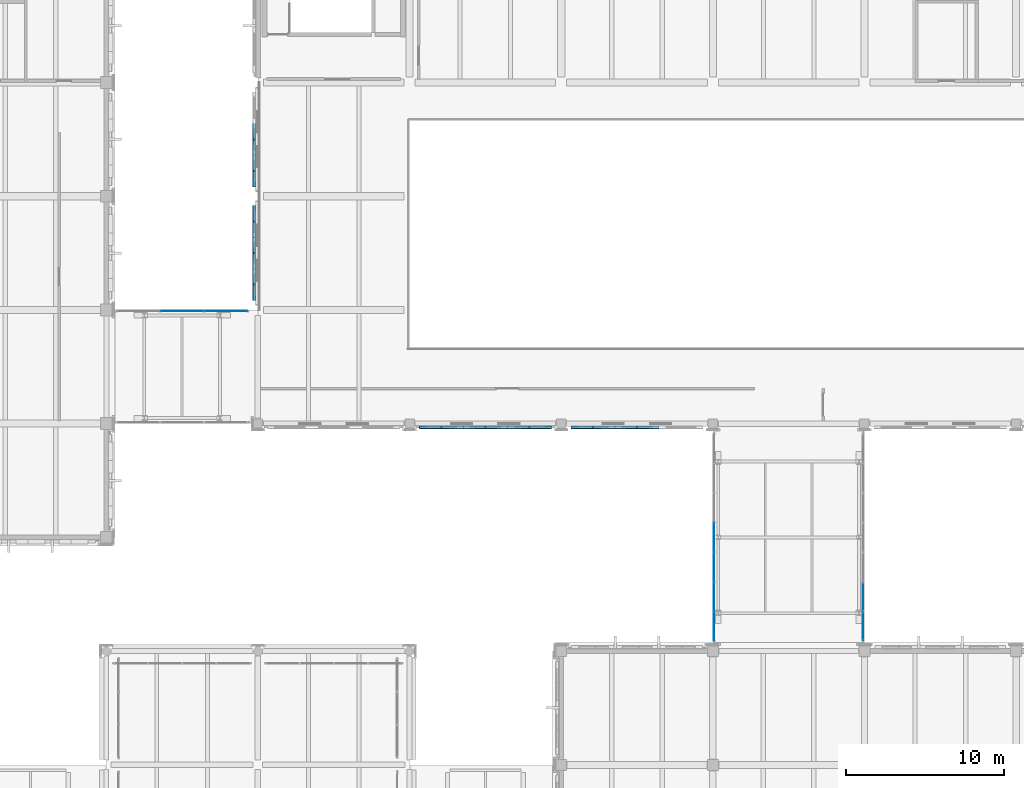
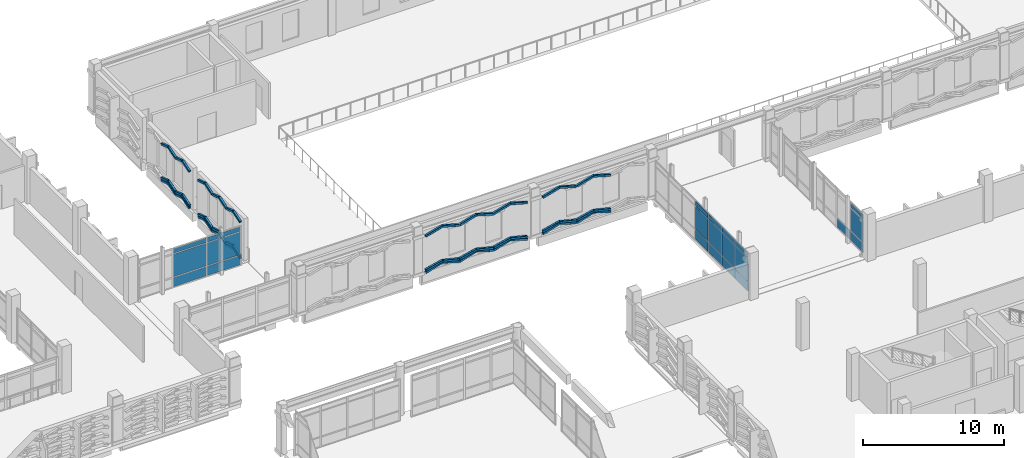
# One storey, part 140 of 180: 82 plates, 3 elements without a shape of their own.
"""IFC4 building model written with IfcOpenShell, lengths in metres."""

from ifc_helpers import new_model, si_unit, direction, frame, origin, origin_2d, place, context, subcontext, project, spatial, rectangle, hollow_rectangle, extrude, material, layer, layer_set, material_profile, profile_set, type_object, element, aggregate, save


model = new_model("IFC4")

# Units and contexts
model_context = context("Model", 3, precision=1e-05, world=origin(), true_north=direction((0.0, 1.0)))
body_context = subcontext(model_context, "Body", "Model", "MODEL_VIEW")
ifc_project = project(units=[si_unit("LENGTHUNIT", "METRE"), si_unit("AREAUNIT", "SQUARE_METRE"), si_unit("VOLUMEUNIT", "CUBIC_METRE"), si_unit("PLANEANGLEUNIT", "RADIAN"), si_unit("MASSUNIT", "GRAM", prefix="KILO")], contexts=[model_context])

# Site, building, storey
site_placement = place(None, origin())
site = spatial("IfcSite", under=ifc_project, at=site_placement, CompositionType="ELEMENT")
building_placement = place(site_placement, origin())
building = spatial("IfcBuilding", under=site, at=building_placement, Name="Asteropetra Specialist Clinic", CompositionType="ELEMENT")
storey_placement = place(building_placement, frame((0.0, 0.0, 4.419921875)))
storey = spatial("IfcBuildingStorey", under=building, at=storey_placement, Name="L01", CompositionType="ELEMENT", Elevation=4.419921875)

# Plates
ifc_material_1 = material(Name="Chevron emerald aluminium 6063-T6", Category="aluminium")
ifc_material_profile = material_profile(ifc_material_1, hollow_rectangle(XDim=0.179931640625, YDim=0.179931640625, WallThickness=0.010009765625, InnerFilletRadius=0.008056640625, OuterFilletRadius=0.01611328125, at=origin_2d()), Name="SHS 180x180x10.0")
ifc_profile_set = profile_set([ifc_material_profile], Name="Chevron emerald aluminium 6063-T6")
plate_type_1 = type_object("IfcPlateType", Name="CHV-RIB-180", PredefinedType="SHEET", material=ifc_profile_set)
plate_1_placement = place(storey_placement, frame((96.639892578125, 76.55810546875, 0.0400390625), z_axis=(0.952424147199, 0.0, 0.304775727104), x_axis=(0.0, 1.0, 0.0)))
element("IfcPlate", 1, at=plate_1_placement, inside=storey, type_object=plate_type_1, Name="Chevron Facade Screen Fin CVR-0043", PredefinedType="SHEET", context=body_context, shape_type="SweptSolid", body=[
    extrude(hollow_rectangle(XDim=0.179931640625, YDim=0.179931640625, WallThickness=0.010009765625, InnerFilletRadius=0.008056640625, OuterFilletRadius=0.01611328125, at=origin_2d()), origin(), (0.0, 0.0, 1.0), 1.44189453125),
])
plate_2_placement = place(storey_placement, frame((98.01318359375, 76.55810546875, 0.4794921875), z_axis=(0.952439871219, 0.0, -0.304726585175), x_axis=(0.0, 1.0, 0.0)))
element("IfcPlate", 2, at=plate_2_placement, inside=storey, type_object=plate_type_1, Name="Chevron Facade Screen Fin CVR-0044", PredefinedType="SHEET", context=body_context, shape_type="SweptSolid", body=[
    extrude(hollow_rectangle(XDim=0.179931640625, YDim=0.179931640625, WallThickness=0.010009765625, InnerFilletRadius=0.008056640625, OuterFilletRadius=0.01611328125, at=origin_2d()), origin(), (0.0, 0.0, 1.0), 1.442138671875),
])
plate_3_placement = place(storey_placement, frame((96.639892578125, 76.55810546875, 0.239990234375), z_axis=(0.972308795496, 0.0, 0.233699820713), x_axis=(0.0, 1.0, 0.0)))
element("IfcPlate", 3, at=plate_3_placement, inside=storey, type_object=plate_type_1, Name="Chevron Facade Screen Fin CVR-0045", PredefinedType="SHEET", context=body_context, shape_type="SweptSolid", body=[
    extrude(hollow_rectangle(XDim=0.179931640625, YDim=0.179931640625, WallThickness=0.010009765625, InnerFilletRadius=0.008056640625, OuterFilletRadius=0.01611328125, at=origin_2d()), origin(), (0.0, 0.0, 1.0), 1.412353515625),
])
plate_4_placement = place(storey_placement, frame((98.01318359375, 76.55810546875, 0.570068359375), z_axis=(0.972318233691, 0.0, -0.233660549582), x_axis=(0.0, 1.0, 0.0)))
element("IfcPlate", 4, at=plate_4_placement, inside=storey, type_object=plate_type_1, Name="Chevron Facade Screen Fin CVR-0046", PredefinedType="SHEET", context=body_context, shape_type="SweptSolid", body=[
    extrude(hollow_rectangle(XDim=0.179931640625, YDim=0.179931640625, WallThickness=0.010009765625, InnerFilletRadius=0.008056640625, OuterFilletRadius=0.01611328125, at=origin_2d()), origin(), (0.0, 0.0, 1.0), 1.41259765625),
])
plate_5_placement = place(storey_placement, frame((96.639892578125, 76.55810546875, 3.190185546875), z_axis=(0.96198081159, 0.0, 0.273117041086), x_axis=(0.0, 1.0, 0.0)))
element("IfcPlate", 5, at=plate_5_placement, inside=storey, type_object=plate_type_1, Name="Chevron Facade Screen Fin CVR-0047", PredefinedType="SHEET", context=body_context, shape_type="SweptSolid", body=[
    extrude(hollow_rectangle(XDim=0.179931640625, YDim=0.179931640625, WallThickness=0.010009765625, InnerFilletRadius=0.008056640625, OuterFilletRadius=0.01611328125, at=origin_2d()), origin(), (0.0, 0.0, 1.0), 1.427490234375),
])
plate_6_placement = place(storey_placement, frame((98.01318359375, 76.55810546875, 3.580078125), z_axis=(0.961993565235, 0.0, -0.273072115834), x_axis=(0.0, 1.0, 0.0)))
element("IfcPlate", 6, at=plate_6_placement, inside=storey, type_object=plate_type_1, Name="Chevron Facade Screen Fin CVR-0048", PredefinedType="SHEET", context=body_context, shape_type="SweptSolid", body=[
    extrude(hollow_rectangle(XDim=0.179931640625, YDim=0.179931640625, WallThickness=0.010009765625, InnerFilletRadius=0.008056640625, OuterFilletRadius=0.01611328125, at=origin_2d()), origin(), (0.0, 0.0, 1.0), 1.427734375),
])
for number, where, z_axis, x_axis, name in (
    (7, (99.4267578125, 76.55810546875, 0.0400390625), (0.952424147199, 0.0, 0.304775727104), (0.0, 1.0, 0.0), "Chevron Facade Screen Fin CVR-0049"),
    (8, (100.800048828125, 76.55810546875, 0.4794921875), (0.952424147199, 0.0, -0.304775727104), (0.0, 1.0, 0.0), "Chevron Facade Screen Fin CVR-0050"),
):
    element("IfcPlate", number, at=place(storey_placement, frame(where, z_axis=z_axis, x_axis=x_axis)), inside=storey, type_object=plate_type_1, Name=name, PredefinedType="SHEET", context=body_context, shape_type="SweptSolid", body=[
        extrude(hollow_rectangle(XDim=0.179931640625, YDim=0.179931640625, WallThickness=0.010009765625, InnerFilletRadius=0.008056640625, OuterFilletRadius=0.01611328125, at=origin_2d()), origin(), (0.0, 0.0, 1.0), 1.44189453125),
    ])
for number, where, z_axis, x_axis, name in (
    (9, (99.4267578125, 76.55810546875, 0.239990234375), (0.972308795496, 0.0, 0.233699820713), (0.0, 1.0, 0.0), "Chevron Facade Screen Fin CVR-0051"),
    (10, (100.800048828125, 76.55810546875, 0.570068359375), (0.972308795496, 0.0, -0.233699820713), (0.0, 1.0, 0.0), "Chevron Facade Screen Fin CVR-0052"),
):
    element("IfcPlate", number, at=place(storey_placement, frame(where, z_axis=z_axis, x_axis=x_axis)), inside=storey, type_object=plate_type_1, Name=name, PredefinedType="SHEET", context=body_context, shape_type="SweptSolid", body=[
        extrude(hollow_rectangle(XDim=0.179931640625, YDim=0.179931640625, WallThickness=0.010009765625, InnerFilletRadius=0.008056640625, OuterFilletRadius=0.01611328125, at=origin_2d()), origin(), (0.0, 0.0, 1.0), 1.412353515625),
    ])
for number, where, z_axis, x_axis, name in (
    (11, (99.4267578125, 76.55810546875, 3.190185546875), (0.96198081159, 0.0, 0.273117041086), (0.0, 1.0, 0.0), "Chevron Facade Screen Fin CVR-0053"),
    (12, (100.800048828125, 76.55810546875, 3.580078125), (0.96198081159, 0.0, -0.273117041086), (0.0, 1.0, 0.0), "Chevron Facade Screen Fin CVR-0054"),
):
    element("IfcPlate", number, at=place(storey_placement, frame(where, z_axis=z_axis, x_axis=x_axis)), inside=storey, type_object=plate_type_1, Name=name, PredefinedType="SHEET", context=body_context, shape_type="SweptSolid", body=[
        extrude(hollow_rectangle(XDim=0.179931640625, YDim=0.179931640625, WallThickness=0.010009765625, InnerFilletRadius=0.008056640625, OuterFilletRadius=0.01611328125, at=origin_2d()), origin(), (0.0, 0.0, 1.0), 1.427490234375),
    ])
for number, where, z_axis, x_axis, name in (
    (13, (102.21337890625, 76.55810546875, 0.0400390625), (0.952424147199, 0.0, 0.304775727104), (0.0, 1.0, 0.0), "Chevron Facade Screen Fin CVR-0055"),
    (14, (103.586669921875, 76.55810546875, 0.4794921875), (0.952424147199, 0.0, -0.304775727104), (0.0, 1.0, 0.0), "Chevron Facade Screen Fin CVR-0056"),
):
    element("IfcPlate", number, at=place(storey_placement, frame(where, z_axis=z_axis, x_axis=x_axis)), inside=storey, type_object=plate_type_1, Name=name, PredefinedType="SHEET", context=body_context, shape_type="SweptSolid", body=[
        extrude(hollow_rectangle(XDim=0.179931640625, YDim=0.179931640625, WallThickness=0.010009765625, InnerFilletRadius=0.008056640625, OuterFilletRadius=0.01611328125, at=origin_2d()), origin(), (0.0, 0.0, 1.0), 1.44189453125),
    ])
for number, where, z_axis, x_axis, name in (
    (15, (102.21337890625, 76.55810546875, 0.239990234375), (0.972308795496, 0.0, 0.233699820713), (0.0, 1.0, 0.0), "Chevron Facade Screen Fin CVR-0057"),
    (16, (103.586669921875, 76.55810546875, 0.570068359375), (0.972308795496, 0.0, -0.233699820713), (0.0, 1.0, 0.0), "Chevron Facade Screen Fin CVR-0058"),
):
    element("IfcPlate", number, at=place(storey_placement, frame(where, z_axis=z_axis, x_axis=x_axis)), inside=storey, type_object=plate_type_1, Name=name, PredefinedType="SHEET", context=body_context, shape_type="SweptSolid", body=[
        extrude(hollow_rectangle(XDim=0.179931640625, YDim=0.179931640625, WallThickness=0.010009765625, InnerFilletRadius=0.008056640625, OuterFilletRadius=0.01611328125, at=origin_2d()), origin(), (0.0, 0.0, 1.0), 1.412353515625),
    ])
for number, where, z_axis, x_axis, name in (
    (17, (102.21337890625, 76.55810546875, 3.190185546875), (0.96198081159, 0.0, 0.273117041086), (0.0, 1.0, 0.0), "Chevron Facade Screen Fin CVR-0059"),
    (18, (103.586669921875, 76.55810546875, 3.580078125), (0.96198081159, 0.0, -0.273117041086), (0.0, 1.0, 0.0), "Chevron Facade Screen Fin CVR-0060"),
):
    element("IfcPlate", number, at=place(storey_placement, frame(where, z_axis=z_axis, x_axis=x_axis)), inside=storey, type_object=plate_type_1, Name=name, PredefinedType="SHEET", context=body_context, shape_type="SweptSolid", body=[
        extrude(hollow_rectangle(XDim=0.179931640625, YDim=0.179931640625, WallThickness=0.010009765625, InnerFilletRadius=0.008056640625, OuterFilletRadius=0.01611328125, at=origin_2d()), origin(), (0.0, 0.0, 1.0), 1.427490234375),
    ])
plate_7_placement = place(storey_placement, frame((106.239990234375, 76.55810546875, 0.0400390625), z_axis=(0.952424147199, 0.0, 0.304775727104), x_axis=(0.0, 1.0, 0.0)))
element("IfcPlate", 19, at=plate_7_placement, inside=storey, type_object=plate_type_1, Name="Chevron Facade Screen Fin CVR-0079", PredefinedType="SHEET", context=body_context, shape_type="SweptSolid", body=[
    extrude(hollow_rectangle(XDim=0.179931640625, YDim=0.179931640625, WallThickness=0.010009765625, InnerFilletRadius=0.008056640625, OuterFilletRadius=0.01611328125, at=origin_2d()), origin(), (0.0, 0.0, 1.0), 1.44189453125),
])
plate_8_placement = place(storey_placement, frame((107.61328125, 76.55810546875, 0.4794921875), z_axis=(0.952439871219, 0.0, -0.304726585175), x_axis=(0.0, 1.0, 0.0)))
element("IfcPlate", 20, at=plate_8_placement, inside=storey, type_object=plate_type_1, Name="Chevron Facade Screen Fin CVR-0080", PredefinedType="SHEET", context=body_context, shape_type="SweptSolid", body=[
    extrude(hollow_rectangle(XDim=0.179931640625, YDim=0.179931640625, WallThickness=0.010009765625, InnerFilletRadius=0.008056640625, OuterFilletRadius=0.01611328125, at=origin_2d()), origin(), (0.0, 0.0, 1.0), 1.442138671875),
])
plate_9_placement = place(storey_placement, frame((106.239990234375, 76.55810546875, 0.239990234375), z_axis=(0.972308795496, 0.0, 0.233699820713), x_axis=(0.0, 1.0, 0.0)))
element("IfcPlate", 21, at=plate_9_placement, inside=storey, type_object=plate_type_1, Name="Chevron Facade Screen Fin CVR-0081", PredefinedType="SHEET", context=body_context, shape_type="SweptSolid", body=[
    extrude(hollow_rectangle(XDim=0.179931640625, YDim=0.179931640625, WallThickness=0.010009765625, InnerFilletRadius=0.008056640625, OuterFilletRadius=0.01611328125, at=origin_2d()), origin(), (0.0, 0.0, 1.0), 1.412353515625),
])
plate_10_placement = place(storey_placement, frame((107.61328125, 76.55810546875, 0.570068359375), z_axis=(0.972318233691, 0.0, -0.233660549582), x_axis=(0.0, 1.0, 0.0)))
element("IfcPlate", 22, at=plate_10_placement, inside=storey, type_object=plate_type_1, Name="Chevron Facade Screen Fin CVR-0082", PredefinedType="SHEET", context=body_context, shape_type="SweptSolid", body=[
    extrude(hollow_rectangle(XDim=0.179931640625, YDim=0.179931640625, WallThickness=0.010009765625, InnerFilletRadius=0.008056640625, OuterFilletRadius=0.01611328125, at=origin_2d()), origin(), (0.0, 0.0, 1.0), 1.41259765625),
])
plate_11_placement = place(storey_placement, frame((106.239990234375, 76.55810546875, 3.190185546875), z_axis=(0.96198081159, 0.0, 0.273117041086), x_axis=(0.0, 1.0, 0.0)))
element("IfcPlate", 23, at=plate_11_placement, inside=storey, type_object=plate_type_1, Name="Chevron Facade Screen Fin CVR-0083", PredefinedType="SHEET", context=body_context, shape_type="SweptSolid", body=[
    extrude(hollow_rectangle(XDim=0.179931640625, YDim=0.179931640625, WallThickness=0.010009765625, InnerFilletRadius=0.008056640625, OuterFilletRadius=0.01611328125, at=origin_2d()), origin(), (0.0, 0.0, 1.0), 1.427490234375),
])
plate_12_placement = place(storey_placement, frame((107.61328125, 76.55810546875, 3.580078125), z_axis=(0.961993565235, 0.0, -0.273072115834), x_axis=(0.0, 1.0, 0.0)))
element("IfcPlate", 24, at=plate_12_placement, inside=storey, type_object=plate_type_1, Name="Chevron Facade Screen Fin CVR-0084", PredefinedType="SHEET", context=body_context, shape_type="SweptSolid", body=[
    extrude(hollow_rectangle(XDim=0.179931640625, YDim=0.179931640625, WallThickness=0.010009765625, InnerFilletRadius=0.008056640625, OuterFilletRadius=0.01611328125, at=origin_2d()), origin(), (0.0, 0.0, 1.0), 1.427734375),
])
for number, where, z_axis, x_axis, name in (
    (25, (109.026611328125, 76.55810546875, 0.0400390625), (0.952424147199, 0.0, 0.304775727104), (0.0, 1.0, 0.0), "Chevron Facade Screen Fin CVR-0085"),
    (26, (110.39990234375, 76.55810546875, 0.4794921875), (0.952424147199, 0.0, -0.304775727104), (0.0, 1.0, 0.0), "Chevron Facade Screen Fin CVR-0086"),
):
    element("IfcPlate", number, at=place(storey_placement, frame(where, z_axis=z_axis, x_axis=x_axis)), inside=storey, type_object=plate_type_1, Name=name, PredefinedType="SHEET", context=body_context, shape_type="SweptSolid", body=[
        extrude(hollow_rectangle(XDim=0.179931640625, YDim=0.179931640625, WallThickness=0.010009765625, InnerFilletRadius=0.008056640625, OuterFilletRadius=0.01611328125, at=origin_2d()), origin(), (0.0, 0.0, 1.0), 1.44189453125),
    ])
for number, where, z_axis, x_axis, name in (
    (27, (109.026611328125, 76.55810546875, 0.239990234375), (0.972308795496, 0.0, 0.233699820713), (0.0, 1.0, 0.0), "Chevron Facade Screen Fin CVR-0087"),
    (28, (110.39990234375, 76.55810546875, 0.570068359375), (0.972308795496, 0.0, -0.233699820713), (0.0, 1.0, 0.0), "Chevron Facade Screen Fin CVR-0088"),
):
    element("IfcPlate", number, at=place(storey_placement, frame(where, z_axis=z_axis, x_axis=x_axis)), inside=storey, type_object=plate_type_1, Name=name, PredefinedType="SHEET", context=body_context, shape_type="SweptSolid", body=[
        extrude(hollow_rectangle(XDim=0.179931640625, YDim=0.179931640625, WallThickness=0.010009765625, InnerFilletRadius=0.008056640625, OuterFilletRadius=0.01611328125, at=origin_2d()), origin(), (0.0, 0.0, 1.0), 1.412353515625),
    ])
for number, where, z_axis, x_axis, name in (
    (29, (109.026611328125, 76.55810546875, 3.190185546875), (0.96198081159, 0.0, 0.273117041086), (0.0, 1.0, 0.0), "Chevron Facade Screen Fin CVR-0089"),
    (30, (110.39990234375, 76.55810546875, 3.580078125), (0.96198081159, 0.0, -0.273117041086), (0.0, 1.0, 0.0), "Chevron Facade Screen Fin CVR-0090"),
):
    element("IfcPlate", number, at=place(storey_placement, frame(where, z_axis=z_axis, x_axis=x_axis)), inside=storey, type_object=plate_type_1, Name=name, PredefinedType="SHEET", context=body_context, shape_type="SweptSolid", body=[
        extrude(hollow_rectangle(XDim=0.179931640625, YDim=0.179931640625, WallThickness=0.010009765625, InnerFilletRadius=0.008056640625, OuterFilletRadius=0.01611328125, at=origin_2d()), origin(), (0.0, 0.0, 1.0), 1.427490234375),
    ])
for number, where, z_axis, x_axis, name in (
    (31, (86.157958984375, 90.580078125, 0.0400390625), (0.0, -0.951905113025, 0.306392976091), (1.0, 0.0, 0.0), "Chevron Facade Screen Fin CVR-0259"),
    (32, (86.157958984375, 89.60009765625, 0.35546875), (0.0, -0.951905113025, -0.306392976091), (1.0, 0.0, 0.0), "Chevron Facade Screen Fin CVR-0260"),
    (33, (86.157958984375, 90.580078125, 0.239990234375), (0.0, -0.951905113025, 0.306392976091), (1.0, 0.0, 0.0), "Chevron Facade Screen Fin CVR-0261"),
    (34, (86.157958984375, 89.60009765625, 0.555419921875), (0.0, -0.951905113025, -0.306392976091), (1.0, 0.0, 0.0), "Chevron Facade Screen Fin CVR-0262"),
    (35, (86.157958984375, 90.580078125, 3.190185546875), (0.0, -0.951974259169, 0.306178068906), (1.0, 0.0, 0.0), "Chevron Facade Screen Fin CVR-0263"),
    (36, (86.157958984375, 89.60009765625, 3.50537109375), (0.0, -0.951974259169, -0.306178068906), (1.0, 0.0, 0.0), "Chevron Facade Screen Fin CVR-0264"),
    (37, (86.157958984375, 88.580078125, 0.0400390625), (0.0, -0.951905113025, 0.306392976091), (1.0, 0.0, 0.0), "Chevron Facade Screen Fin CVR-0265"),
    (38, (86.157958984375, 87.60009765625, 0.35546875), (0.0, -0.951905113025, -0.306392976091), (1.0, 0.0, 0.0), "Chevron Facade Screen Fin CVR-0266"),
    (39, (86.157958984375, 88.580078125, 0.239990234375), (0.0, -0.951905113025, 0.306392976091), (1.0, 0.0, 0.0), "Chevron Facade Screen Fin CVR-0267"),
    (40, (86.157958984375, 87.60009765625, 0.555419921875), (0.0, -0.951905113025, -0.306392976091), (1.0, 0.0, 0.0), "Chevron Facade Screen Fin CVR-0268"),
    (41, (86.157958984375, 88.580078125, 3.190185546875), (0.0, -0.951974259169, 0.306178068906), (1.0, 0.0, 0.0), "Chevron Facade Screen Fin CVR-0269"),
    (42, (86.157958984375, 87.60009765625, 3.50537109375), (0.0, -0.951974259169, -0.306178068906), (1.0, 0.0, 0.0), "Chevron Facade Screen Fin CVR-0270"),
    (43, (86.157958984375, 86.580078125, 0.0400390625), (0.0, -0.951905113025, 0.306392976091), (1.0, 0.0, 0.0), "Chevron Facade Screen Fin CVR-0271"),
    (44, (86.157958984375, 85.60009765625, 0.35546875), (0.0, -0.951905113025, -0.306392976091), (1.0, 0.0, 0.0), "Chevron Facade Screen Fin CVR-0272"),
    (45, (86.157958984375, 86.580078125, 0.239990234375), (0.0, -0.951905113025, 0.306392976091), (1.0, 0.0, 0.0), "Chevron Facade Screen Fin CVR-0273"),
    (46, (86.157958984375, 85.60009765625, 0.555419921875), (0.0, -0.951905113025, -0.306392976091), (1.0, 0.0, 0.0), "Chevron Facade Screen Fin CVR-0274"),
    (47, (86.157958984375, 86.580078125, 3.190185546875), (0.0, -0.951974259169, 0.306178068906), (1.0, 0.0, 0.0), "Chevron Facade Screen Fin CVR-0275"),
    (48, (86.157958984375, 85.60009765625, 3.50537109375), (0.0, -0.951974259169, -0.306178068906), (1.0, 0.0, 0.0), "Chevron Facade Screen Fin CVR-0276"),
    (49, (86.157958984375, 95.780029296875, 0.0400390625), (0.0, -0.951905113025, 0.306392976091), (1.0, 0.0, 0.0), "Chevron Facade Screen Fin CVR-0301"),
    (50, (86.157958984375, 94.800048828125, 0.35546875), (0.0, -0.951905113025, -0.306392976091), (1.0, 0.0, 0.0), "Chevron Facade Screen Fin CVR-0302"),
    (51, (86.157958984375, 95.780029296875, 0.239990234375), (0.0, -0.951905113025, 0.306392976091), (1.0, 0.0, 0.0), "Chevron Facade Screen Fin CVR-0303"),
    (52, (86.157958984375, 94.800048828125, 0.555419921875), (0.0, -0.951905113025, -0.306392976091), (1.0, 0.0, 0.0), "Chevron Facade Screen Fin CVR-0304"),
    (53, (86.157958984375, 95.780029296875, 3.190185546875), (0.0, -0.951974259169, 0.306178068906), (1.0, 0.0, 0.0), "Chevron Facade Screen Fin CVR-0305"),
    (54, (86.157958984375, 94.800048828125, 3.50537109375), (0.0, -0.951974259169, -0.306178068906), (1.0, 0.0, 0.0), "Chevron Facade Screen Fin CVR-0306"),
    (55, (86.157958984375, 93.780029296875, 0.0400390625), (0.0, -0.951905113025, 0.306392976091), (1.0, 0.0, 0.0), "Chevron Facade Screen Fin CVR-0307"),
    (56, (86.157958984375, 92.800048828125, 0.35546875), (0.0, -0.951905113025, -0.306392976091), (1.0, 0.0, 0.0), "Chevron Facade Screen Fin CVR-0308"),
    (57, (86.157958984375, 93.780029296875, 0.239990234375), (0.0, -0.951905113025, 0.306392976091), (1.0, 0.0, 0.0), "Chevron Facade Screen Fin CVR-0309"),
    (58, (86.157958984375, 92.800048828125, 0.555419921875), (0.0, -0.951905113025, -0.306392976091), (1.0, 0.0, 0.0), "Chevron Facade Screen Fin CVR-0310"),
    (59, (86.157958984375, 93.780029296875, 3.190185546875), (0.0, -0.951974259169, 0.306178068906), (1.0, 0.0, 0.0), "Chevron Facade Screen Fin CVR-0311"),
    (60, (86.157958984375, 92.800048828125, 3.50537109375), (0.0, -0.951974259169, -0.306178068906), (1.0, 0.0, 0.0), "Chevron Facade Screen Fin CVR-0312"),
):
    element("IfcPlate", number, at=place(storey_placement, frame(where, z_axis=z_axis, x_axis=x_axis)), inside=storey, type_object=plate_type_1, Name=name, PredefinedType="SHEET", context=body_context, shape_type="SweptSolid", body=[
        extrude(hollow_rectangle(XDim=0.179931640625, YDim=0.179931640625, WallThickness=0.010009765625, InnerFilletRadius=0.008056640625, OuterFilletRadius=0.01611328125, at=origin_2d()), origin(), (0.0, 0.0, 1.0), 1.029541015625),
    ])

# Curtain wall, plates
ifc_material_2 = material(Name="Aluminium and low-E glass", Category="aluminium")
ifc_layer_1 = layer(ifc_material_2, 0.14990234375)
ifc_layer_set_1 = layer_set([ifc_layer_1], Name="Aluminium and low-E glass")
curtain_wall_type_1 = type_object("IfcCurtainWallType", Name="CW-SYS-02", PredefinedType="USERDEFINED", material=ifc_layer_set_1)
curtain_wall_1_placement = place(storey_placement, origin())
curtain_wall_1 = element("IfcCurtainWall", 61, at=curtain_wall_1_placement, inside=storey, type_object=curtain_wall_type_1, Name="Curtain Wall CW-112", ObjectType="UNITISED CURTAIN WALL", PredefinedType="USERDEFINED")
ifc_material_3 = material(Name="Low-E double glazing", Category="glass")
ifc_layer_2 = layer(ifc_material_3, 0.028076171875)
ifc_layer_set_2 = layer_set([ifc_layer_2], Name="Low-E double glazing")
plate_type_2 = type_object("IfcPlateType", Name="CWP-GLZ-28", PredefinedType="CURTAIN_PANEL", material=ifc_layer_set_2)
plate_13_placement = place(storey_placement, frame((84.377197265625, 83.919921875, 0.06494140625), z_axis=(0.0, 0.0, 1.0), x_axis=(-1.0, 0.0, 0.0)))
plate_13 = element("IfcPlate", 62, at=plate_13_placement, type_object=plate_type_2, Name="CW-112 panel 1.1", PredefinedType="CURTAIN_PANEL", context=body_context, shape_type="SweptSolid", body=[
    extrude(rectangle(XDim=2.69580078125, YDim=0.028076171875, at=origin_2d()), origin(), (0.0, 0.0, 1.0), 0.802490234375),
])
plate_14_placement = place(storey_placement, frame((84.377197265625, 83.919921875, 0.9326171875), z_axis=(0.0, 0.0, 1.0), x_axis=(-1.0, 0.0, 0.0)))
plate_14 = element("IfcPlate", 63, at=plate_14_placement, type_object=plate_type_2, Name="CW-112 panel 1.2", PredefinedType="CURTAIN_PANEL", context=body_context, shape_type="SweptSolid", body=[
    extrude(rectangle(XDim=2.69580078125, YDim=0.028076171875, at=origin_2d()), origin(), (0.0, 0.0, 1.0), 1.965087890625),
])
plate_15_placement = place(storey_placement, frame((84.377197265625, 83.919921875, 2.96240234375), z_axis=(0.0, 0.0, 1.0), x_axis=(-1.0, 0.0, 0.0)))
plate_15 = element("IfcPlate", 64, at=plate_15_placement, type_object=plate_type_2, Name="CW-112 panel 1.3", PredefinedType="CURTAIN_PANEL", context=body_context, shape_type="SweptSolid", body=[
    extrude(rectangle(XDim=2.69580078125, YDim=0.028076171875, at=origin_2d()), origin(), (0.0, 0.0, 1.0), 0.402587890625),
])
plate_16_placement = place(storey_placement, frame((81.60009765625, 83.919921875, 0.06494140625), z_axis=(0.0, 0.0, 1.0), x_axis=(-1.0, 0.0, 0.0)))
plate_16 = element("IfcPlate", 65, at=plate_16_placement, type_object=plate_type_2, Name="CW-112 panel 2.1", PredefinedType="CURTAIN_PANEL", context=body_context, shape_type="SweptSolid", body=[
    extrude(rectangle(XDim=2.728271484375, YDim=0.028076171875, at=origin_2d()), origin(), (0.0, 0.0, 1.0), 0.802490234375),
])
plate_17_placement = place(storey_placement, frame((81.60009765625, 83.919921875, 0.9326171875), z_axis=(0.0, 0.0, 1.0), x_axis=(-1.0, 0.0, 0.0)))
plate_17 = element("IfcPlate", 66, at=plate_17_placement, type_object=plate_type_2, Name="CW-112 panel 2.2", PredefinedType="CURTAIN_PANEL", context=body_context, shape_type="SweptSolid", body=[
    extrude(rectangle(XDim=2.728271484375, YDim=0.028076171875, at=origin_2d()), origin(), (0.0, 0.0, 1.0), 1.965087890625),
])
plate_18_placement = place(storey_placement, frame((81.60009765625, 83.919921875, 2.96240234375), z_axis=(0.0, 0.0, 1.0), x_axis=(-1.0, 0.0, 0.0)))
plate_18 = element("IfcPlate", 67, at=plate_18_placement, type_object=plate_type_2, Name="CW-112 panel 2.3", PredefinedType="CURTAIN_PANEL", context=body_context, shape_type="SweptSolid", body=[
    extrude(rectangle(XDim=2.728271484375, YDim=0.028076171875, at=origin_2d()), origin(), (0.0, 0.0, 1.0), 0.402587890625),
])
aggregate(curtain_wall_1, [plate_13, plate_14, plate_15, plate_16, plate_17, plate_18])

ifc_material_4 = material(Name="Aluminium and low-E glass", Category="aluminium")
ifc_layer_3 = layer(ifc_material_4, 0.179931640625)
ifc_layer_set_3 = layer_set([ifc_layer_3], Name="Aluminium and low-E glass")
curtain_wall_type_2 = type_object("IfcCurtainWallType", Name="CW-SYS-01", PredefinedType="USERDEFINED", material=ifc_layer_set_3)
curtain_wall_2_placement = place(storey_placement, origin())
curtain_wall_2 = element("IfcCurtainWall", 68, at=curtain_wall_2_placement, inside=storey, type_object=curtain_wall_type_2, Name="Curtain Wall CW-120", ObjectType="UNITISED CURTAIN WALL", PredefinedType="USERDEFINED")
plate_19_placement = place(storey_placement, frame((124.719970703125, 65.834228515625, 0.074951171875), z_axis=(0.0, 0.0, 1.0), x_axis=(0.0, -1.0, 0.0)))
plate_19 = element("IfcPlate", 69, at=plate_19_placement, type_object=plate_type_2, Name="CW-120 panel 6.1", PredefinedType="CURTAIN_PANEL", context=body_context, shape_type="SweptSolid", body=[
    extrude(rectangle(XDim=1.807861328125, YDim=0.028076171875, at=origin_2d()), origin(), (0.0, 0.0, 1.0), 0.78759765625),
])
plate_20_placement = place(storey_placement, frame((124.719970703125, 63.97021484375, 0.074951171875), z_axis=(0.0, 0.0, 1.0), x_axis=(0.0, -1.0, 0.0)))
plate_20 = element("IfcPlate", 70, at=plate_20_placement, type_object=plate_type_2, Name="CW-120 panel 7.1", PredefinedType="CURTAIN_PANEL", context=body_context, shape_type="SweptSolid", body=[
    extrude(rectangle(XDim=1.770263671875, YDim=0.028076171875, at=origin_2d()), origin(), (0.0, 0.0, 1.0), 0.78759765625),
])
plate_21_placement = place(storey_placement, frame((124.719970703125, 63.97021484375, 0.9375), z_axis=(0.0, 0.0, 1.0), x_axis=(0.0, -1.0, 0.0)))
plate_21 = element("IfcPlate", 71, at=plate_21_placement, type_object=plate_type_2, Name="CW-120 panel 7.2", PredefinedType="CURTAIN_PANEL", context=body_context, shape_type="SweptSolid", body=[
    extrude(rectangle(XDim=1.770263671875, YDim=0.028076171875, at=origin_2d()), origin(), (0.0, 0.0, 1.0), 1.955078125),
])
plate_22_placement = place(storey_placement, frame((124.719970703125, 63.97021484375, 2.9677734375), z_axis=(0.0, 0.0, 1.0), x_axis=(0.0, -1.0, 0.0)))
plate_22 = element("IfcPlate", 72, at=plate_22_placement, type_object=plate_type_2, Name="CW-120 panel 7.3", PredefinedType="CURTAIN_PANEL", context=body_context, shape_type="SweptSolid", body=[
    extrude(rectangle(XDim=1.770263671875, YDim=0.028076171875, at=origin_2d()), origin(), (0.0, 0.0, 1.0), 0.387451171875),
])
aggregate(curtain_wall_2, [plate_19, plate_20, plate_21, plate_22])

ifc_material_5 = material(Name="Aluminium and low-E glass", Category="aluminium")
ifc_layer_4 = layer(ifc_material_5, 0.135009765625)
ifc_layer_set_4 = layer_set([ifc_layer_4], Name="Aluminium and low-E glass")
curtain_wall_type_3 = type_object("IfcCurtainWallType", Name="CW-SYS-12", PredefinedType="USERDEFINED", material=ifc_layer_set_4)
curtain_wall_3_placement = place(storey_placement, origin())
curtain_wall_3 = element("IfcCurtainWall", 73, at=curtain_wall_3_placement, inside=storey, type_object=curtain_wall_type_3, Name="Curtain Wall CW-119", ObjectType="STICK GLAZED COLONNADE", PredefinedType="USERDEFINED")
ifc_material_6 = material(Name="Laminated skylight glazing", Category="glass")
ifc_layer_5 = layer(ifc_material_6, 0.0400390625)
ifc_layer_set_5 = layer_set([ifc_layer_5], Name="Laminated skylight glazing")
plate_type_3 = type_object("IfcPlateType", Name="CWP-GLZ-40", PredefinedType="CURTAIN_PANEL", material=ifc_layer_set_5)
plate_23_placement = place(storey_placement, frame((115.280029296875, 63.96630859375, 0.06005859375), z_axis=(0.0, 0.0, 1.0), x_axis=(0.0, 1.0, 0.0)))
plate_23 = element("IfcPlate", 74, at=plate_23_placement, type_object=plate_type_3, Name="CW-119 panel 1.1", PredefinedType="CURTAIN_PANEL", context=body_context, shape_type="SweptSolid", body=[
    extrude(rectangle(XDim=1.79296875, YDim=0.0400390625, at=origin_2d()), origin(), (0.0, 0.0, 1.0), 0.81005859375),
])
plate_24_placement = place(storey_placement, frame((115.280029296875, 63.96630859375, 0.93017578125), z_axis=(0.0, 0.0, 1.0), x_axis=(0.0, 1.0, 0.0)))
plate_24 = element("IfcPlate", 75, at=plate_24_placement, type_object=plate_type_3, Name="CW-119 panel 1.2", PredefinedType="CURTAIN_PANEL", context=body_context, shape_type="SweptSolid", body=[
    extrude(rectangle(XDim=1.79296875, YDim=0.0400390625, at=origin_2d()), origin(), (0.0, 0.0, 1.0), 1.969970703125),
])
plate_25_placement = place(storey_placement, frame((115.280029296875, 63.96630859375, 2.9599609375), z_axis=(0.0, 0.0, 1.0), x_axis=(0.0, 1.0, 0.0)))
plate_25 = element("IfcPlate", 76, at=plate_25_placement, type_object=plate_type_3, Name="CW-119 panel 1.3", PredefinedType="CURTAIN_PANEL", context=body_context, shape_type="SweptSolid", body=[
    extrude(rectangle(XDim=1.79296875, YDim=0.0400390625, at=origin_2d()), origin(), (0.0, 0.0, 1.0), 0.409912109375),
])
plate_26_placement = place(storey_placement, frame((115.280029296875, 65.834228515625, 0.06005859375), z_axis=(0.0, 0.0, 1.0), x_axis=(0.0, 1.0, 0.0)))
plate_26 = element("IfcPlate", 77, at=plate_26_placement, type_object=plate_type_3, Name="CW-119 panel 2.1", PredefinedType="CURTAIN_PANEL", context=body_context, shape_type="SweptSolid", body=[
    extrude(rectangle(XDim=1.82275390625, YDim=0.0400390625, at=origin_2d()), origin(), (0.0, 0.0, 1.0), 0.81005859375),
])
plate_27_placement = place(storey_placement, frame((115.280029296875, 65.834228515625, 0.93017578125), z_axis=(0.0, 0.0, 1.0), x_axis=(0.0, 1.0, 0.0)))
plate_27 = element("IfcPlate", 78, at=plate_27_placement, type_object=plate_type_3, Name="CW-119 panel 2.2", PredefinedType="CURTAIN_PANEL", context=body_context, shape_type="SweptSolid", body=[
    extrude(rectangle(XDim=1.82275390625, YDim=0.0400390625, at=origin_2d()), origin(), (0.0, 0.0, 1.0), 1.969970703125),
])
plate_28_placement = place(storey_placement, frame((115.280029296875, 65.834228515625, 2.9599609375), z_axis=(0.0, 0.0, 1.0), x_axis=(0.0, 1.0, 0.0)))
plate_28 = element("IfcPlate", 79, at=plate_28_placement, type_object=plate_type_3, Name="CW-119 panel 2.3", PredefinedType="CURTAIN_PANEL", context=body_context, shape_type="SweptSolid", body=[
    extrude(rectangle(XDim=1.82275390625, YDim=0.0400390625, at=origin_2d()), origin(), (0.0, 0.0, 1.0), 0.409912109375),
])
plate_29_placement = place(storey_placement, frame((115.280029296875, 67.717041015625, 0.06005859375), z_axis=(0.0, 0.0, 1.0), x_axis=(0.0, 1.0, 0.0)))
plate_29 = element("IfcPlate", 80, at=plate_29_placement, type_object=plate_type_3, Name="CW-119 panel 3.1", PredefinedType="CURTAIN_PANEL", context=body_context, shape_type="SweptSolid", body=[
    extrude(rectangle(XDim=1.82275390625, YDim=0.0400390625, at=origin_2d()), origin(), (0.0, 0.0, 1.0), 0.81005859375),
])
plate_30_placement = place(storey_placement, frame((115.280029296875, 67.717041015625, 0.93017578125), z_axis=(0.0, 0.0, 1.0), x_axis=(0.0, 1.0, 0.0)))
plate_30 = element("IfcPlate", 81, at=plate_30_placement, type_object=plate_type_3, Name="CW-119 panel 3.2", PredefinedType="CURTAIN_PANEL", context=body_context, shape_type="SweptSolid", body=[
    extrude(rectangle(XDim=1.82275390625, YDim=0.0400390625, at=origin_2d()), origin(), (0.0, 0.0, 1.0), 1.969970703125),
])
plate_31_placement = place(storey_placement, frame((115.280029296875, 67.717041015625, 2.9599609375), z_axis=(0.0, 0.0, 1.0), x_axis=(0.0, 1.0, 0.0)))
plate_31 = element("IfcPlate", 82, at=plate_31_placement, type_object=plate_type_3, Name="CW-119 panel 3.3", PredefinedType="CURTAIN_PANEL", context=body_context, shape_type="SweptSolid", body=[
    extrude(rectangle(XDim=1.82275390625, YDim=0.0400390625, at=origin_2d()), origin(), (0.0, 0.0, 1.0), 0.409912109375),
])
plate_32_placement = place(storey_placement, frame((115.280029296875, 69.60009765625, 0.06005859375), z_axis=(0.0, 0.0, 1.0), x_axis=(0.0, 1.0, 0.0)))
plate_32 = element("IfcPlate", 83, at=plate_32_placement, type_object=plate_type_3, Name="CW-119 panel 4.1", PredefinedType="CURTAIN_PANEL", context=body_context, shape_type="SweptSolid", body=[
    extrude(rectangle(XDim=1.82275390625, YDim=0.0400390625, at=origin_2d()), origin(), (0.0, 0.0, 1.0), 0.81005859375),
])
plate_33_placement = place(storey_placement, frame((115.280029296875, 69.60009765625, 0.93017578125), z_axis=(0.0, 0.0, 1.0), x_axis=(0.0, 1.0, 0.0)))
plate_33 = element("IfcPlate", 84, at=plate_33_placement, type_object=plate_type_3, Name="CW-119 panel 4.2", PredefinedType="CURTAIN_PANEL", context=body_context, shape_type="SweptSolid", body=[
    extrude(rectangle(XDim=1.82275390625, YDim=0.0400390625, at=origin_2d()), origin(), (0.0, 0.0, 1.0), 1.969970703125),
])
plate_34_placement = place(storey_placement, frame((115.280029296875, 69.60009765625, 2.9599609375), z_axis=(0.0, 0.0, 1.0), x_axis=(0.0, 1.0, 0.0)))
plate_34 = element("IfcPlate", 85, at=plate_34_placement, type_object=plate_type_3, Name="CW-119 panel 4.3", PredefinedType="CURTAIN_PANEL", context=body_context, shape_type="SweptSolid", body=[
    extrude(rectangle(XDim=1.82275390625, YDim=0.0400390625, at=origin_2d()), origin(), (0.0, 0.0, 1.0), 0.409912109375),
])
aggregate(curtain_wall_3, [plate_23, plate_24, plate_25, plate_26, plate_27, plate_28, plate_29, plate_30, plate_31, plate_32, plate_33, plate_34])

save(model, "model.ifc")
